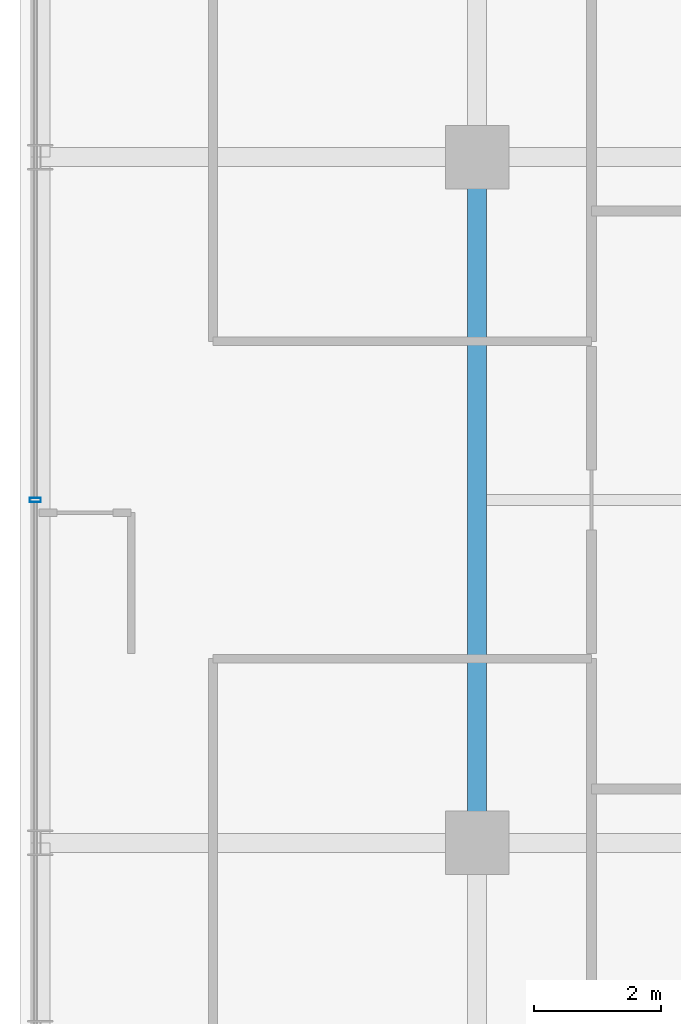
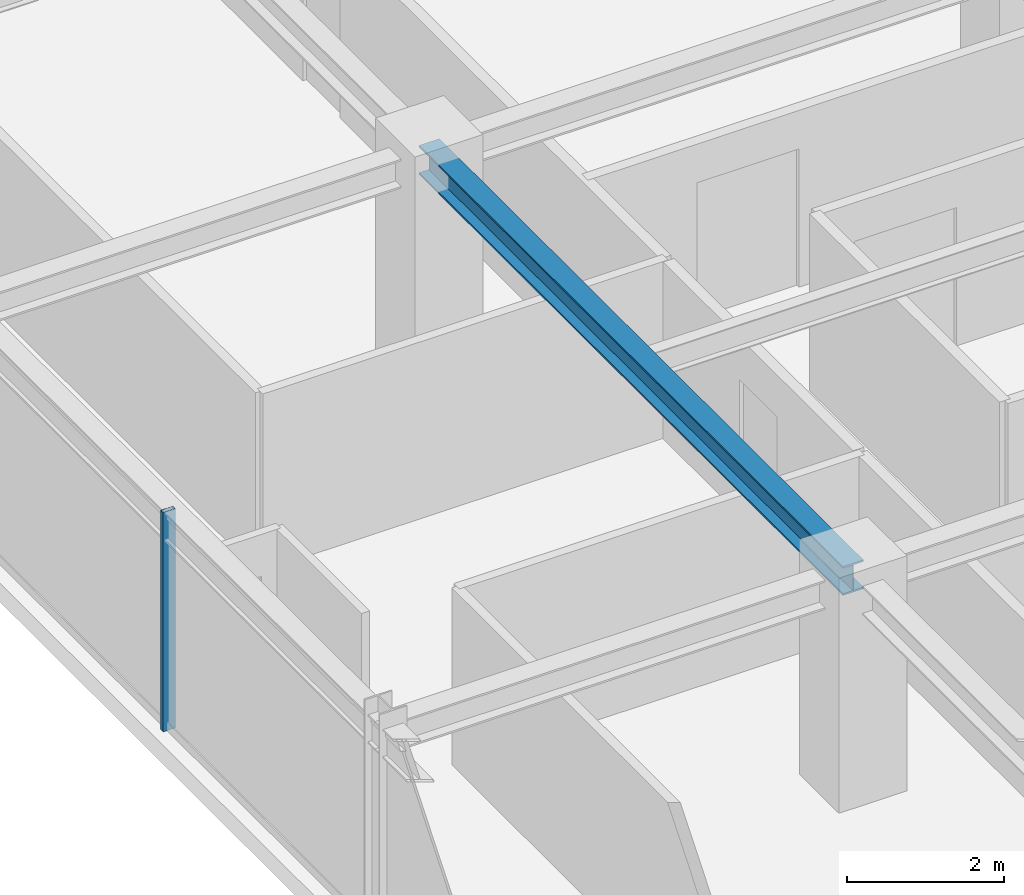
# One storey, part 10 of 34: 1 beam, 1 member, 1 element without a shape of its own.
"""IFC4 building model written with IfcOpenShell, lengths in metres."""

import ifcopenshell
import ifcopenshell.guid

model = None  # the IFC model being written
_history = None  # IfcOwnerHistory: only IFC2X3 demands one
_inside = {}  # id of a spatial element -> (the spatial element, [elements in it])
_under = {}  # id of a project, library or spatial element -> (it, [spatial elements below it])
_declared = {}  # id of a project -> (the project, [libraries it declares])
_typed = {}  # id of a type object -> (the type object, [elements of that type])
_made_of = {}  # id of a material, layer set ... -> (it, [elements and type objects made of it])


def new_model(schema):
    """Start an empty IFC model of exactly this schema.

    Asked for "IFC4X3", IfcOpenShell would pick the latest addendum, in which some entities
    have other attributes; the version numbers below select the first issue.
    IFC2X3 requires an IfcOwnerHistory on every rooted entity: one is made here for all.
    """
    global model, _history
    if schema == "IFC4X3":
        model = ifcopenshell.file(schema_version=(4, 3, 0, 0))
    else:
        model = ifcopenshell.file(schema=schema)
    _inside.clear()
    _under.clear()
    _declared.clear()
    _typed.clear()
    _made_of.clear()
    _history = None
    if model.schema == "IFC2X3":
        org = make("IfcOrganization", Name="unknown")
        user = make(
            "IfcPersonAndOrganization",
            ThePerson=make("IfcPerson", FamilyName="unknown"),
            TheOrganization=org,
        )
        app = make(
            "IfcApplication",
            ApplicationDeveloper=org,
            Version="unknown",
            ApplicationFullName="unknown",
            ApplicationIdentifier="unknown",
        )
        _history = make(
            "IfcOwnerHistory",
            OwningUser=user,
            OwningApplication=app,
            ChangeAction="ADDED",
            CreationDate=0,
        )
    return model


def make(cls, **values):
    """One entity of the class cls with the attributes given. An attribute that is None is left unset."""
    return model.create_entity(
        cls, **{name: value for name, value in values.items() if value is not None}
    )


def rooted(cls, **values):
    """An entity with a GlobalId (a new one), such as an element, a storey or a relation."""
    return make(cls, GlobalId=ifcopenshell.guid.new(), OwnerHistory=_history, **values)


def si_unit(unit_type, name, prefix=None):
    """IfcSIUnit, for example si_unit("LENGTHUNIT", "METRE", prefix="MILLI")."""
    return make("IfcSIUnit", UnitType=unit_type, Prefix=prefix, Name=name)


def assignment(units):
    """IfcUnitAssignment: the units of a project."""
    return None if units is None else make("IfcUnitAssignment", Units=units)


def point(xyz):
    """IfcCartesianPoint."""
    return None if xyz is None else make("IfcCartesianPoint", Coordinates=xyz)


def direction(xyz):
    """IfcDirection."""
    return None if xyz is None else make("IfcDirection", DirectionRatios=xyz)


def frame(location, z_axis=None, x_axis=None):
    """IfcAxis2Placement3D, a coordinate frame: its origin and axes. An axis left out is left unset."""
    return make(
        "IfcAxis2Placement3D",
        Location=point(location),
        Axis=direction(z_axis),
        RefDirection=direction(x_axis),
    )


def frame_2d(location, x_axis=None):
    """IfcAxis2Placement2D, a coordinate frame in the plane: its origin and x axis."""
    return make(
        "IfcAxis2Placement2D", Location=point(location), RefDirection=direction(x_axis)
    )


def origin():
    """The frame at (0, 0, 0) with its axes left unset."""
    return frame((0.0, 0.0, 0.0))


def origin_2d():
    """The frame at (0, 0) in the plane with its x axis left unset."""
    return frame_2d((0.0, 0.0))


def place(relative_to, where):
    """IfcLocalPlacement: puts the frame where relative to a parent placement (None: the world)."""
    return make(
        "IfcLocalPlacement", PlacementRelTo=relative_to, RelativePlacement=where
    )


def context(
    kind, dimensions, precision=None, world=None, true_north=None, identifier=None
):
    """IfcGeometricRepresentationContext, for example the 3D "Model" context."""
    return make(
        "IfcGeometricRepresentationContext",
        ContextIdentifier=identifier,
        ContextType=kind,
        CoordinateSpaceDimension=dimensions,
        Precision=precision,
        WorldCoordinateSystem=world,
        TrueNorth=true_north,
    )


def subcontext(parent, identifier, kind, view, scale=None):
    """IfcGeometricRepresentationSubContext, for example "Body" below "Model"."""
    return make(
        "IfcGeometricRepresentationSubContext",
        ContextIdentifier=identifier,
        ContextType=kind,
        ParentContext=parent,
        TargetScale=scale,
        TargetView=view,
    )


def project(units=None, contexts=None):
    """IfcProject with its units and contexts."""
    return rooted(
        "IfcProject",
        Name="project",
        RepresentationContexts=contexts,
        UnitsInContext=assignment(units),
    )


def spatial(cls, under=None, at=None, **own):
    """A site, building, storey or space (cls), placed at a placement, below another one or the project."""
    s = rooted(cls, ObjectPlacement=at, **own)
    if under is not None:
        _under.setdefault(under.id(), (under, []))[1].append(s)
    return s


def profile(cls, at=None, kind="AREA", **sizes):
    """A parametric profile (cls). Its sizes go by their IFC names, for example OverallWidth=200.0."""
    return make(cls, ProfileType=kind, Position=at, **sizes)


def hollow_rectangle(**sizes):
    """IfcRectangleHollowProfileDef."""
    return profile("IfcRectangleHollowProfileDef", **sizes)


def i_section(**sizes):
    """IfcIShapeProfileDef."""
    return profile("IfcIShapeProfileDef", **sizes)


def extrude(swept, where, along, depth):
    """IfcExtrudedAreaSolid: the profile swept, set in the frame where, extruded along a direction by depth."""
    return make(
        "IfcExtrudedAreaSolid",
        SweptArea=swept,
        Position=where,
        ExtrudedDirection=direction(along),
        Depth=depth,
    )


def shape(context_of_items, identifier, shape_type, items):
    """IfcShapeRepresentation: the items that make up one representation, for example the "Body"."""
    return make(
        "IfcShapeRepresentation",
        ContextOfItems=context_of_items,
        RepresentationIdentifier=identifier,
        RepresentationType=shape_type,
        Items=items,
    )


def source(mapping_origin, context_of_items, identifier, shape_type, items):
    """IfcRepresentationMap: a shape defined once, which mapped items show again and again."""
    return make(
        "IfcRepresentationMap",
        MappingOrigin=mapping_origin,
        MappedRepresentation=shape(context_of_items, identifier, shape_type, items),
    )


def transform(
    local_origin,
    x_axis=None,
    y_axis=None,
    z_axis=None,
    scale=None,
    scale2=None,
    scale3=None,
    uniform=True,
):
    """IfcCartesianTransformationOperator3D, or its non-uniform kind. x_axis, y_axis, z_axis: its Axis1, 2, 3."""
    if uniform:
        return make(
            "IfcCartesianTransformationOperator3D",
            Axis1=direction(x_axis),
            Axis2=direction(y_axis),
            LocalOrigin=point(local_origin),
            Scale=scale,
            Axis3=direction(z_axis),
        )
    return make(
        "IfcCartesianTransformationOperator3DnonUniform",
        Axis1=direction(x_axis),
        Axis2=direction(y_axis),
        LocalOrigin=point(local_origin),
        Scale=scale,
        Axis3=direction(z_axis),
        Scale2=scale2,
        Scale3=scale3,
    )


def mapped(mapping_source, mapping_target):
    """IfcMappedItem: shows the shape of a source again, moved by a transform."""
    return make(
        "IfcMappedItem", MappingSource=mapping_source, MappingTarget=mapping_target
    )


def material(Name=None, Category=None):
    """IfcMaterial."""
    return make("IfcMaterial", Name=Name, Category=Category)


def material_profile(
    of_material, cross_section, Name=None, Category=None, Priority=None
):
    """IfcMaterialProfile: a cross section and its material."""
    return make(
        "IfcMaterialProfile",
        Name=Name,
        Material=of_material,
        Profile=cross_section,
        Priority=Priority,
        Category=Category,
    )


def profile_set(profiles, Name=None, composite=None):
    """IfcMaterialProfileSet."""
    return make(
        "IfcMaterialProfileSet",
        Name=Name,
        MaterialProfiles=profiles,
        CompositeProfile=composite,
    )


def made_of(thing, what):
    """Note that an element or type object is made of a material, layer set ...; save() writes the relation."""
    if what is not None:
        _made_of.setdefault(what.id(), (what, []))[1].append(thing)
    return thing


def type_object(cls, material=None, **own):
    """A type object (cls), such as IfcWallType, which elements share."""
    return made_of(rooted(cls, **own), material)


def element(
    cls,
    number,
    at=None,
    inside=None,
    cuts=None,
    type_object=None,
    material=None,
    context=None,
    identifier="Body",
    shape_type=None,
    held_by="IfcProductDefinitionShape",
    body=None,
    shapes=None,
    **own,
):
    """One element of the class cls, such as IfcWall. Its Tag is "e" and its number.

    at: its placement. inside: the storey or other place that contains it. cuts: it is an
    opening in that element (IfcRelVoidsElement). A single representation is given by context,
    identifier, shape_type and body (its items); several are given by shapes. held_by: the class
    of the entity that holds the representations. save() writes the other relations.
    """
    e = rooted(cls, Tag="e%d" % number, ObjectPlacement=at, **own)
    if body is not None:
        shapes = [shape(context, identifier, shape_type, body)]
    if shapes is not None:
        e.Representation = make(held_by, Representations=shapes)
    if inside is not None:
        _inside.setdefault(inside.id(), (inside, []))[1].append(e)
    if cuts is not None:
        rooted(
            "IfcRelVoidsElement", RelatingBuildingElement=cuts, RelatedOpeningElement=e
        )
    if type_object is not None:
        _typed.setdefault(type_object.id(), (type_object, []))[1].append(e)
    return made_of(e, material)


def aggregate(whole, parts):
    """IfcRelAggregates: a whole, such as a stair, and the parts it consists of."""
    return rooted("IfcRelAggregates", RelatingObject=whole, RelatedObjects=parts)


def save(model, path):
    """Write the relations noted so far, then the file.

    IfcRelAggregates (storeys below a building ...), IfcRelContainedInSpatialStructure (elements
    in a storey), IfcRelDefinesByType, IfcRelAssociatesMaterial and IfcRelDeclares: one each for
    every whole, place, type object, material and project.
    """
    for whole, parts in _under.values():
        aggregate(whole, parts)
    for where, things in _inside.values():
        rooted(
            "IfcRelContainedInSpatialStructure",
            RelatedElements=things,
            RelatingStructure=where,
        )
    for kind, things in _typed.values():
        rooted("IfcRelDefinesByType", RelatedObjects=things, RelatingType=kind)
    for what, things in _made_of.values():
        rooted("IfcRelAssociatesMaterial", RelatedObjects=things, RelatingMaterial=what)
    for by, libraries in _declared.values():
        rooted("IfcRelDeclares", RelatingContext=by, RelatedDefinitions=libraries)
    model.write(path)


model = new_model("IFC4")

# Units and contexts
model_context = context("Model", 3, precision=1e-05, world=origin(), true_north=direction((0.0, 1.0)))
body_context = subcontext(model_context, "Body", "Model", "MODEL_VIEW")
ifc_project = project(units=[si_unit("LENGTHUNIT", "METRE"), si_unit("AREAUNIT", "SQUARE_METRE"), si_unit("VOLUMEUNIT", "CUBIC_METRE"), si_unit("PLANEANGLEUNIT", "RADIAN"), si_unit("MASSUNIT", "GRAM", prefix="KILO")], contexts=[model_context])

# Site, building, storey
site_placement = place(None, origin())
site = spatial("IfcSite", under=ifc_project, at=site_placement, CompositionType="ELEMENT")
building_placement = place(site_placement, origin())
building = spatial("IfcBuilding", under=site, at=building_placement, Name="Nahalor Promenade Grand Hotel", CompositionType="ELEMENT")
storey_placement = place(building_placement, frame((0.0, 0.0, 238.199951171875)))
storey = spatial("IfcBuildingStorey", under=building, at=storey_placement, Name="L61", CompositionType="ELEMENT", Elevation=238.199951171875)

# Beam
ifc_material_1 = material(Name="Steel S355JR", Category="steel")
ifc_material_profile_1 = material_profile(ifc_material_1, i_section(OverallWidth=0.3, OverallDepth=0.45, WebThickness=0.014, FlangeThickness=0.026, at=origin_2d()), Name="HEB 450")
ifc_profile_set_1 = profile_set([ifc_material_profile_1], Name="Steel S355JR")
beam_type = type_object("IfcBeamType", Name="Beam-Girder-HEB450", PredefinedType="BEAM", material=ifc_profile_set_1)
shared_shape_1 = source(origin(), body_context, "Body", "SweptSolid", [
    extrude(i_section(OverallWidth=0.3, OverallDepth=0.45, WebThickness=0.014, FlangeThickness=0.026, at=origin_2d()), origin(), (0.0, 0.0, 1.0), 10.7998046875),
])
beam_placement = place(storey_placement, frame((-17.0, -5.39990234375, 3.18505859375), z_axis=(0.0, 1.0, 0.0), x_axis=(-1.0, 0.0, 0.0)))
element("IfcBeam", 1, at=beam_placement, inside=storey, type_object=beam_type, Name="BM-L61-GY-0-2", PredefinedType="BEAM", context=body_context, shape_type="MappedRepresentation", body=[
    mapped(shared_shape_1, transform((0.0, 0.0, 0.0), scale=1.0)),
])

# Curtain wall, member
ifc_material_2 = material(Name="Anodised Bronze Aluminium EN AW-6063 T6", Category="aluminium")
curtain_wall_type = type_object("IfcCurtainWallType", Name="CW2 Typical Hotel Flush Bronze Unitised Curtain Wall", PredefinedType="USERDEFINED", material=ifc_material_2)
curtain_wall_placement = place(storey_placement, origin())
curtain_wall = element("IfcCurtainWall", 2, at=curtain_wall_placement, inside=storey, type_object=curtain_wall_type, Name="L61 Curtain Wall CW-L61-W-1", ObjectType="UNITISED_CURTAIN_WALL", PredefinedType="USERDEFINED")
ifc_material_profile_2 = material_profile(ifc_material_2, hollow_rectangle(XDim=0.065, YDim=0.18, WallThickness=0.004, at=origin_2d()), Name="CWM 65x180x4")
ifc_profile_set_2 = profile_set([ifc_material_profile_2], Name="Anodised Bronze Aluminium EN AW-6063 T6")
member_type = type_object("IfcMemberType", Name="CWM2 Typical Bronze Mullion 65x180", PredefinedType="MULLION", material=ifc_profile_set_2)
shared_shape_2 = source(origin(), body_context, "Body", "SweptSolid", [
    extrude(hollow_rectangle(XDim=0.065, YDim=0.18, WallThickness=0.004, at=origin_2d()), origin(), (0.0, 0.0, 1.0), 3.41015625),
])
member_placement = place(storey_placement, frame((-23.9599609375, 0.0, 0.0), z_axis=(0.0, 0.0, 1.0), x_axis=(0.0, 1.0, 0.0)))
member = element("IfcMember", 3, at=member_placement, type_object=member_type, Name="CW-L61-W-1 Mullion 2", PredefinedType="MULLION", context=body_context, shape_type="MappedRepresentation", body=[
    mapped(shared_shape_2, transform((0.0, 0.0, 0.0), scale=1.0)),
])
aggregate(curtain_wall, [member])

save(model, "model.ifc")
